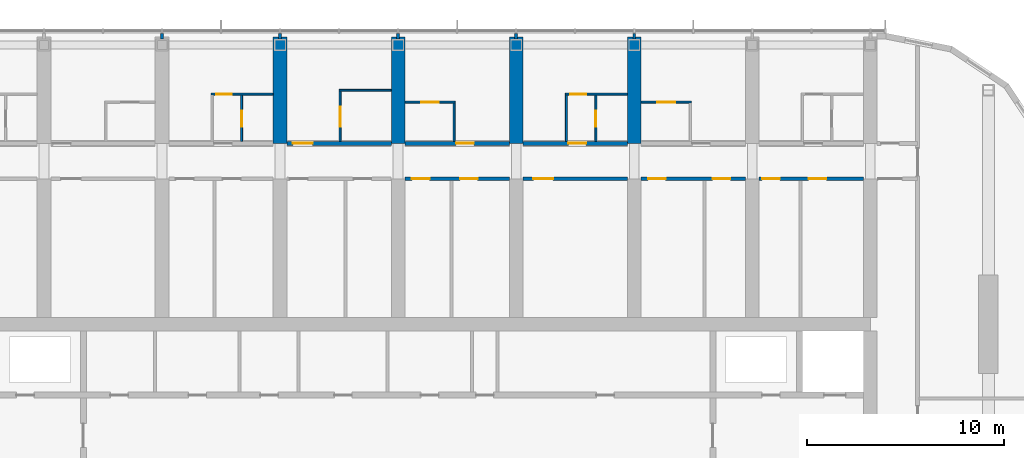
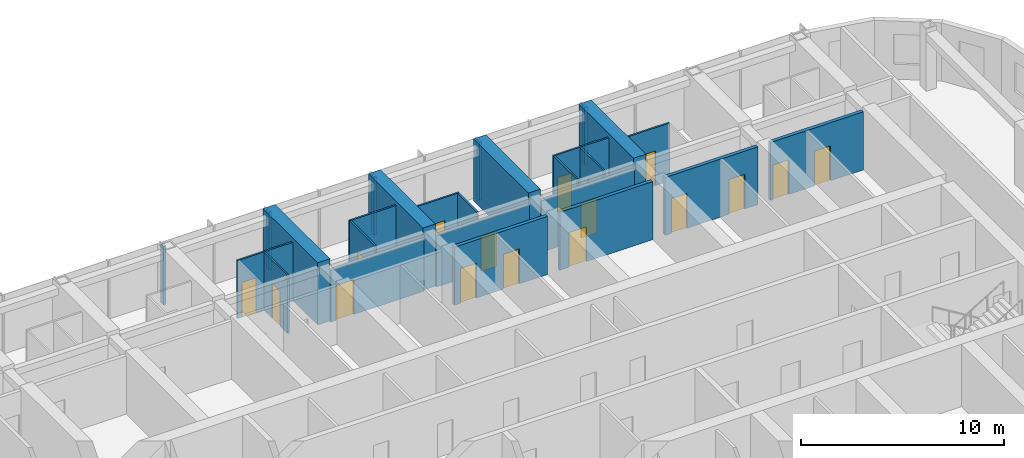
# One storey, part 18 of 26: 26 walls, 17 doors, 17 openings.
"""IFC4 building model written with IfcOpenShell, lengths in metres."""

from ifc_helpers import new_model, si_unit, direction, frame, frame_2d, origin, place, context, subcontext, project, spatial, polyline, rectangle, outline, extrude, material, layer, layer_set, type_object, element, fill, save


model = new_model("IFC4")

# Units and contexts
model_context = context("Model", 3, precision=1e-05, world=origin(), true_north=direction((0.0, 1.0)))
body_context = subcontext(model_context, "Body", "Model", "MODEL_VIEW")
ifc_project = project(units=[si_unit("LENGTHUNIT", "METRE"), si_unit("AREAUNIT", "SQUARE_METRE"), si_unit("VOLUMEUNIT", "CUBIC_METRE"), si_unit("PLANEANGLEUNIT", "RADIAN"), si_unit("MASSUNIT", "GRAM", prefix="KILO")], contexts=[model_context])

# Site, building, storey
site_placement = place(None, origin())
site = spatial("IfcSite", under=ifc_project, at=site_placement, CompositionType="ELEMENT")
building_placement = place(site_placement, origin())
building = spatial("IfcBuilding", under=site, at=building_placement, Name="Orbita Commons", CompositionType="ELEMENT")
storey_placement = place(building_placement, frame((0.0, 0.0, 231.550048828125)))
storey = spatial("IfcBuildingStorey", under=building, at=storey_placement, Name="L57", CompositionType="ELEMENT", Elevation=231.550048828125)

# Wall, opening, door
ifc_material_1 = material(Name="Concrete blockwork", Category="masonry")
ifc_layer_1 = layer(ifc_material_1, 0.199951171875)
ifc_layer_set_1 = layer_set([ifc_layer_1], Name="Concrete blockwork")
wall_type_1 = type_object("IfcWallType", Name="Corridor wall 200 blockwork", PredefinedType="SOLIDWALL", material=ifc_layer_set_1)
wall_1_placement = place(storey_placement, frame((36.35009765625, 47.39990234375, 0.0), z_axis=(0.0, 0.0, 1.0), x_axis=(1.0, 0.0, 0.0)))
wall_1 = element("IfcWall", 1, at=wall_1_placement, inside=storey, type_object=wall_type_1, Name="Corridor wall 200 blockwork L57", PredefinedType="SOLIDWALL", context=body_context, shape_type="SweptSolid", body=[
    extrude(outline(polyline([(0.0, 0.0), (5.2998046875, 0.0), (5.300048828125, 3.099853515625), (0.0, 3.099853515625), (0.0, 0.0)])), frame((0.0, 0.10009765625, 0.0), z_axis=(0.0, -1.0, 0.0), x_axis=(1.0, 0.0, 0.0)), (0.0, 0.0, 1.0), 0.199951171875),
])
opening_1_placement = place(wall_1_placement, frame((0.300048828125, 0.0, 0.0)))
opening_1 = element("IfcOpeningElement", 2, at=opening_1_placement, cuts=wall_1, Name="Opening D06", PredefinedType="OPENING", context=body_context, shape_type="SweptSolid", body=[
    extrude(rectangle(XDim=1.0, YDim=2.10009765625, at=frame_2d((0.5, 1.050048828125))), frame((0.0, 0.10986328125, 0.0), z_axis=(0.0, -1.0, 0.0), x_axis=(1.0, 0.0, 0.0)), (0.0, 0.0, 1.0), 0.219970703125),
])
ifc_material_2 = material(Name="Steel-faced fire door leaf", Category="steel")
door_type_1 = type_object("IfcDoorType", Name="Corridor door 20 min 1000x2100", OperationType="SINGLE_SWING_LEFT", PredefinedType="DOOR", material=ifc_material_2)
door_1_placement = place(opening_1_placement, origin())
door_1 = element("IfcDoor", 3, at=door_1_placement, inside=storey, type_object=door_type_1, Name="Accessible bedroom L57-N06 door", OperationType="SINGLE_SWING_LEFT", OverallHeight=2.10009765625, OverallWidth=1.0, PredefinedType="DOOR", context=body_context, shape_type="SweptSolid", body=[
    extrude(rectangle(XDim=1.0, YDim=2.10009765625, at=frame_2d((0.5, 1.050048828125))), frame((0.0, 0.02490234375, 0.0), z_axis=(0.0, -1.0, 0.0), x_axis=(1.0, 0.0, 0.0)), (0.0, 0.0, 1.0), 0.050048828125),
])
fill(opening_1, door_1)

wall_2_placement = place(storey_placement, frame((42.35009765625, 47.39990234375, 0.0), z_axis=(0.0, 0.0, 1.0), x_axis=(1.0, 0.0, 0.0)))
wall_2 = element("IfcWall", 4, at=wall_2_placement, inside=storey, type_object=wall_type_1, Name="Corridor wall 200 blockwork L57", PredefinedType="SOLIDWALL", context=body_context, shape_type="SweptSolid", body=[
    extrude(outline(polyline([(0.0, 0.0), (5.2998046875, 0.0), (5.300048828125, 3.099853515625), (0.0, 3.099853515625), (0.0, 0.0)])), frame((0.0, 0.10009765625, 0.0), z_axis=(0.0, -1.0, 0.0), x_axis=(1.0, 0.0, 0.0)), (0.0, 0.0, 1.0), 0.199951171875),
])
opening_2_placement = place(wall_2_placement, frame((2.60009765625, 0.0, 0.0)))
opening_2 = element("IfcOpeningElement", 5, at=opening_2_placement, cuts=wall_2, Name="Opening D11", PredefinedType="OPENING", context=body_context, shape_type="SweptSolid", body=[
    extrude(rectangle(XDim=0.89990234375, YDim=2.10009765625, at=frame_2d((0.449951171875, 1.050048828125))), frame((0.0, 0.10986328125, 0.0), z_axis=(0.0, -1.0, 0.0), x_axis=(1.0, 0.0, 0.0)), (0.0, 0.0, 1.0), 0.219970703125),
])
ifc_material_3 = material(Name="Steel-faced fire door leaf", Category="steel")
door_type_2 = type_object("IfcDoorType", Name="Corridor door 20 min 900x2100", OperationType="SINGLE_SWING_LEFT", PredefinedType="DOOR", material=ifc_material_3)
door_2_placement = place(opening_2_placement, origin())
door_2 = element("IfcDoor", 6, at=door_2_placement, inside=storey, type_object=door_type_2, Name="Studio apartment with kitchenette L57-N08 door", OperationType="SINGLE_SWING_LEFT", OverallHeight=2.10009765625, OverallWidth=0.89990234375, PredefinedType="DOOR", context=body_context, shape_type="SweptSolid", body=[
    extrude(rectangle(XDim=0.89990234375, YDim=2.10009765625, at=frame_2d((0.449951171875, 1.050048828125))), frame((0.0, 0.02490234375, 0.0), z_axis=(0.0, -1.0, 0.0), x_axis=(1.0, 0.0, 0.0)), (0.0, 0.0, 1.0), 0.050048828125),
])
fill(opening_2, door_2)

wall_3_placement = place(storey_placement, frame((48.35009765625, 47.39990234375, 0.0), z_axis=(0.0, 0.0, 1.0), x_axis=(1.0, 0.0, 0.0)))
wall_3 = element("IfcWall", 7, at=wall_3_placement, inside=storey, type_object=wall_type_1, Name="Corridor wall 200 blockwork L57", PredefinedType="SOLIDWALL", context=body_context, shape_type="SweptSolid", body=[
    extrude(outline(polyline([(0.0, 0.0), (5.2998046875, 0.0), (5.300048828125, 3.099853515625), (0.0, 3.099853515625), (0.0, 0.0)])), frame((0.0, 0.10009765625, 0.0), z_axis=(0.0, -1.0, 0.0), x_axis=(1.0, 0.0, 0.0)), (0.0, 0.0, 1.0), 0.199951171875),
])
opening_3_placement = place(wall_3_placement, frame((2.300048828125, 0.0, 0.0)))
opening_3 = element("IfcOpeningElement", 8, at=opening_3_placement, cuts=wall_3, Name="Opening D11", PredefinedType="OPENING", context=body_context, shape_type="SweptSolid", body=[
    extrude(rectangle(XDim=0.89990234375, YDim=2.10009765625, at=frame_2d((0.449951171875, 1.050048828125))), frame((0.0, 0.10986328125, 0.0), z_axis=(0.0, -1.0, 0.0), x_axis=(1.0, 0.0, 0.0)), (0.0, 0.0, 1.0), 0.219970703125),
])
door_3_placement = place(opening_3_placement, origin())
door_3 = element("IfcDoor", 9, at=door_3_placement, inside=storey, type_object=door_type_2, Name="Studio flat L57-N10 entrance door", OperationType="SINGLE_SWING_LEFT", OverallHeight=2.10009765625, OverallWidth=0.89990234375, PredefinedType="DOOR", context=body_context, shape_type="SweptSolid", body=[
    extrude(rectangle(XDim=0.89990234375, YDim=2.10009765625, at=frame_2d((0.449951171875, 1.050048828125))), frame((0.0, 0.02490234375, 0.0), z_axis=(0.0, -1.0, 0.0), x_axis=(1.0, 0.0, 0.0)), (0.0, 0.0, 1.0), 0.050048828125),
])
fill(opening_3, door_3)

# Wall, openings, doors
ifc_material_4 = material(Name="Hollow concrete block 200", Category="concrete")
ifc_layer_2 = layer(ifc_material_4, 0.199951171875)
ifc_layer_set_2 = layer_set([ifc_layer_2], Name="Hollow concrete block 200")
wall_type_2 = type_object("IfcWallType", Name="Corridor wall 200 hollow concrete block", PredefinedType="SOLIDWALL", material=ifc_layer_set_2)
wall_4_placement = place(storey_placement, frame((42.35009765625, 45.60009765625, 0.0), z_axis=(0.0, 0.0, 1.0), x_axis=(1.0, 0.0, 0.0)))
wall_4 = element("IfcWall", 10, at=wall_4_placement, inside=storey, type_object=wall_type_2, Name="Corridor wall 200 hollow concrete block L57", PredefinedType="SOLIDWALL", context=body_context, shape_type="SweptSolid", body=[
    extrude(rectangle(XDim=5.2998046875, YDim=0.199951171875, at=frame_2d((2.64990234375, 0.0))), origin(), (0.0, 0.0, 1.0), 3.5),
])
opening_4_placement = place(wall_4_placement, frame((0.35009765625, 0.0, 0.0)))
opening_4 = element("IfcOpeningElement", 11, at=opening_4_placement, cuts=wall_4, Name="Opening D11", PredefinedType="OPENING", context=body_context, shape_type="SweptSolid", body=[
    extrude(rectangle(XDim=0.89990234375, YDim=2.10009765625, at=frame_2d((0.449951171875, 1.050048828125))), frame((0.0, 0.10986328125, 0.0), z_axis=(0.0, -1.0, 0.0), x_axis=(1.0, 0.0, 0.0)), (0.0, 0.0, 1.0), 0.219970703125),
])
opening_5_placement = place(wall_4_placement, frame((2.794921875, 0.0, 0.0)))
opening_5 = element("IfcOpeningElement", 12, at=opening_5_placement, cuts=wall_4, Name="Opening D11", PredefinedType="OPENING", context=body_context, shape_type="SweptSolid", body=[
    extrude(rectangle(XDim=0.89990234375, YDim=2.10009765625, at=frame_2d((0.449951171875, 1.050048828125))), frame((0.0, 0.10986328125, 0.0), z_axis=(0.0, -1.0, 0.0), x_axis=(1.0, 0.0, 0.0)), (0.0, 0.0, 1.0), 0.219970703125),
])
door_4_placement = place(opening_4_placement, origin())
door_4 = element("IfcDoor", 13, at=door_4_placement, inside=storey, type_object=door_type_2, Name="Riser access cupboard L57-BDN42n door", OperationType="SINGLE_SWING_LEFT", OverallHeight=2.10009765625, OverallWidth=0.89990234375, PredefinedType="DOOR", context=body_context, shape_type="SweptSolid", body=[
    extrude(rectangle(XDim=0.89990234375, YDim=2.10009765625, at=frame_2d((0.449951171875, 1.050048828125))), frame((0.0, 0.02490234375, 0.0), z_axis=(0.0, -1.0, 0.0), x_axis=(1.0, 0.0, 0.0)), (0.0, 0.0, 1.0), 0.050048828125),
])
fill(opening_4, door_4)
door_5_placement = place(opening_5_placement, origin())
door_5 = element("IfcDoor", 14, at=door_5_placement, inside=storey, type_object=door_type_2, Name="Parcel and post room L57-BDN42 door", OperationType="SINGLE_SWING_LEFT", OverallHeight=2.10009765625, OverallWidth=0.89990234375, PredefinedType="DOOR", context=body_context, shape_type="SweptSolid", body=[
    extrude(rectangle(XDim=0.89990234375, YDim=2.10009765625, at=frame_2d((0.449951171875, 1.050048828125))), frame((0.0, 0.02490234375, 0.0), z_axis=(0.0, -1.0, 0.0), x_axis=(1.0, 0.0, 0.0)), (0.0, 0.0, 1.0), 0.050048828125),
])
fill(opening_5, door_5)

# Wall, opening, door
wall_5_placement = place(storey_placement, frame((48.35009765625, 45.60009765625, 0.0), z_axis=(0.0, 0.0, 1.0), x_axis=(1.0, 0.0, 0.0)))
wall_5 = element("IfcWall", 15, at=wall_5_placement, inside=storey, type_object=wall_type_2, Name="Corridor wall 200 hollow concrete block L57", PredefinedType="SOLIDWALL", context=body_context, shape_type="SweptSolid", body=[
    extrude(rectangle(XDim=5.2998046875, YDim=0.199951171875, at=frame_2d((2.64990234375, 0.0))), origin(), (0.0, 0.0, 1.0), 3.5),
])
opening_6_placement = place(wall_5_placement, frame((0.52490234375, 0.0, 0.0)))
opening_6 = element("IfcOpeningElement", 16, at=opening_6_placement, cuts=wall_5, Name="Opening D06", PredefinedType="OPENING", context=body_context, shape_type="SweptSolid", body=[
    extrude(rectangle(XDim=1.0, YDim=2.10009765625, at=frame_2d((0.5, 1.050048828125))), frame((0.0, 0.10986328125, 0.0), z_axis=(0.0, -1.0, 0.0), x_axis=(1.0, 0.0, 0.0)), (0.0, 0.0, 1.0), 0.219970703125),
])
door_6_placement = place(opening_6_placement, origin())
door_6 = element("IfcDoor", 17, at=door_6_placement, inside=storey, type_object=door_type_1, Name="Store L57-BDN48 door", OperationType="SINGLE_SWING_LEFT", OverallHeight=2.10009765625, OverallWidth=1.0, PredefinedType="DOOR", context=body_context, shape_type="SweptSolid", body=[
    extrude(rectangle(XDim=1.0, YDim=2.10009765625, at=frame_2d((0.5, 1.050048828125))), frame((0.0, 0.02490234375, 0.0), z_axis=(0.0, -1.0, 0.0), x_axis=(1.0, 0.0, 0.0)), (0.0, 0.0, 1.0), 0.050048828125),
])
fill(opening_6, door_6)

# Wall, openings, doors
wall_6_placement = place(storey_placement, frame((54.35009765625, 45.60009765625, 0.0), z_axis=(0.0, 0.0, 1.0), x_axis=(1.0, 0.0, 0.0)))
wall_6 = element("IfcWall", 18, at=wall_6_placement, inside=storey, type_object=wall_type_2, Name="Corridor wall 200 hollow concrete block L57", PredefinedType="SOLIDWALL", context=body_context, shape_type="SweptSolid", body=[
    extrude(rectangle(XDim=5.2998046875, YDim=0.199951171875, at=frame_2d((2.64990234375, 0.0))), origin(), (0.0, 0.0, 1.0), 3.5),
])
opening_7_placement = place(wall_6_placement, frame((0.35009765625, 0.0, 0.0)))
opening_7 = element("IfcOpeningElement", 19, at=opening_7_placement, cuts=wall_6, Name="Opening D11", PredefinedType="OPENING", context=body_context, shape_type="SweptSolid", body=[
    extrude(rectangle(XDim=0.89990234375, YDim=2.10009765625, at=frame_2d((0.449951171875, 1.050048828125))), frame((0.0, 0.10986328125, 0.0), z_axis=(0.0, -1.0, 0.0), x_axis=(1.0, 0.0, 0.0)), (0.0, 0.0, 1.0), 0.219970703125),
])
opening_8_placement = place(wall_6_placement, frame((3.639892578125, 0.0, 0.0)))
opening_8 = element("IfcOpeningElement", 20, at=opening_8_placement, cuts=wall_6, Name="Opening D11", PredefinedType="OPENING", context=body_context, shape_type="SweptSolid", body=[
    extrude(rectangle(XDim=0.89990234375, YDim=2.10009765625, at=frame_2d((0.449951171875, 1.050048828125))), frame((0.0, 0.10986328125, 0.0), z_axis=(0.0, -1.0, 0.0), x_axis=(1.0, 0.0, 0.0)), (0.0, 0.0, 1.0), 0.219970703125),
])
door_7_placement = place(opening_7_placement, origin())
door_7 = element("IfcDoor", 21, at=door_7_placement, inside=storey, type_object=door_type_2, Name="Drying room L57-BDN54 door", OperationType="SINGLE_SWING_LEFT", OverallHeight=2.10009765625, OverallWidth=0.89990234375, PredefinedType="DOOR", context=body_context, shape_type="SweptSolid", body=[
    extrude(rectangle(XDim=0.89990234375, YDim=2.10009765625, at=frame_2d((0.449951171875, 1.050048828125))), frame((0.0, 0.02490234375, 0.0), z_axis=(0.0, -1.0, 0.0), x_axis=(1.0, 0.0, 0.0)), (0.0, 0.0, 1.0), 0.050048828125),
])
fill(opening_7, door_7)
door_8_placement = place(opening_8_placement, origin())
door_8 = element("IfcDoor", 22, at=door_8_placement, inside=storey, type_object=door_type_2, Name="Water heater cupboard L57-BDN54n door", OperationType="SINGLE_SWING_LEFT", OverallHeight=2.10009765625, OverallWidth=0.89990234375, PredefinedType="DOOR", context=body_context, shape_type="SweptSolid", body=[
    extrude(rectangle(XDim=0.89990234375, YDim=2.10009765625, at=frame_2d((0.449951171875, 1.050048828125))), frame((0.0, 0.02490234375, 0.0), z_axis=(0.0, -1.0, 0.0), x_axis=(1.0, 0.0, 0.0)), (0.0, 0.0, 1.0), 0.050048828125),
])
fill(opening_8, door_8)

wall_7_placement = place(storey_placement, frame((60.35009765625, 45.60009765625, 0.0), z_axis=(0.0, 0.0, 1.0), x_axis=(1.0, 0.0, 0.0)))
wall_7 = element("IfcWall", 23, at=wall_7_placement, inside=storey, type_object=wall_type_2, Name="Corridor wall 200 hollow concrete block L57", PredefinedType="SOLIDWALL", context=body_context, shape_type="SweptSolid", body=[
    extrude(rectangle(XDim=5.2998046875, YDim=0.199951171875, at=frame_2d((2.64990234375, 0.0))), origin(), (0.0, 0.0, 1.0), 3.5),
])
opening_9_placement = place(wall_7_placement, frame((0.14990234375, 0.0, 0.0)))
opening_9 = element("IfcOpeningElement", 24, at=opening_9_placement, cuts=wall_7, Name="Opening D11", PredefinedType="OPENING", context=body_context, shape_type="SweptSolid", body=[
    extrude(rectangle(XDim=0.89990234375, YDim=2.10009765625, at=frame_2d((0.449951171875, 1.050048828125))), frame((0.0, 0.10986328125, 0.0), z_axis=(0.0, -1.0, 0.0), x_axis=(1.0, 0.0, 0.0)), (0.0, 0.0, 1.0), 0.219970703125),
])
opening_10_placement = place(wall_7_placement, frame((2.52001953125, 0.0, 0.0)))
opening_10 = element("IfcOpeningElement", 25, at=opening_10_placement, cuts=wall_7, Name="Opening D11", PredefinedType="OPENING", context=body_context, shape_type="SweptSolid", body=[
    extrude(rectangle(XDim=0.89990234375, YDim=2.10009765625, at=frame_2d((0.449951171875, 1.050048828125))), frame((0.0, 0.10986328125, 0.0), z_axis=(0.0, -1.0, 0.0), x_axis=(1.0, 0.0, 0.0)), (0.0, 0.0, 1.0), 0.219970703125),
])
door_9_placement = place(opening_9_placement, origin())
door_9 = element("IfcDoor", 26, at=door_9_placement, inside=storey, type_object=door_type_2, Name="Battery and UPS room L57-BDN60n door", OperationType="SINGLE_SWING_LEFT", OverallHeight=2.10009765625, OverallWidth=0.89990234375, PredefinedType="DOOR", context=body_context, shape_type="SweptSolid", body=[
    extrude(rectangle(XDim=0.89990234375, YDim=2.10009765625, at=frame_2d((0.449951171875, 1.050048828125))), frame((0.0, 0.02490234375, 0.0), z_axis=(0.0, -1.0, 0.0), x_axis=(1.0, 0.0, 0.0)), (0.0, 0.0, 1.0), 0.050048828125),
])
fill(opening_9, door_9)
door_10_placement = place(opening_10_placement, origin())
door_10 = element("IfcDoor", 27, at=door_10_placement, inside=storey, type_object=door_type_2, Name="Linen store L57-BDN60 door", OperationType="SINGLE_SWING_LEFT", OverallHeight=2.10009765625, OverallWidth=0.89990234375, PredefinedType="DOOR", context=body_context, shape_type="SweptSolid", body=[
    extrude(rectangle(XDim=0.89990234375, YDim=2.10009765625, at=frame_2d((0.449951171875, 1.050048828125))), frame((0.0, 0.02490234375, 0.0), z_axis=(0.0, -1.0, 0.0), x_axis=(1.0, 0.0, 0.0)), (0.0, 0.0, 1.0), 0.050048828125),
])
fill(opening_10, door_10)

# Walls
ifc_material_5 = material(Name="Concrete C50/60", Category="concrete")
ifc_layer_3 = layer(ifc_material_5, 0.699951171875)
ifc_layer_set_3 = layer_set([ifc_layer_3], Name="Concrete C50/60")
wall_type_3 = type_object("IfcWallType", Name="Cross wall 700 C50/60", PredefinedType="SHEAR", material=ifc_layer_set_3)
for number, where, z_axis, x_axis, name in (
    (28, (36.0, 47.39990234375, 0.0), (0.0, 0.0, 1.0), (0.0, 1.0, 0.0), "Cross wall 7 north outer L57"),
    (29, (42.0, 47.39990234375, 0.0), (0.0, 0.0, 1.0), (0.0, 1.0, 0.0), "Cross wall 8 north outer L57"),
    (30, (48.0, 47.39990234375, 0.0), (0.0, 0.0, 1.0), (0.0, 1.0, 0.0), "Cross wall 9 north outer L57"),
    (31, (54.0, 47.39990234375, 0.0), (0.0, 0.0, 1.0), (0.0, 1.0, 0.0), "Cross wall 10 north outer L57"),
):
    element("IfcWall", number, at=place(storey_placement, frame(where, z_axis=z_axis, x_axis=x_axis)), inside=storey, type_object=wall_type_3, Name=name, PredefinedType="SHEAR", context=body_context, shape_type="SweptSolid", body=[
        extrude(rectangle(XDim=5.400146484375, YDim=0.699951171875, at=frame_2d((2.7001953125, 0.0))), origin(), (0.0, 0.0, 1.0), 3.75),
    ])

# Wall, opening, door
ifc_material_6 = material(Name="Moisture-resistant plasterboard on steel studs", Category="steel")
ifc_layer_4 = layer(ifc_material_6, 0.10009765625)
ifc_layer_set_4 = layer_set([ifc_layer_4], Name="Moisture-resistant plasterboard on steel studs")
wall_type_4 = type_object("IfcWallType", Name="En-suite partition 100", PredefinedType="PARTITIONING", material=ifc_layer_set_4)
wall_8_placement = place(storey_placement, frame((32.5, 49.89990234375, 0.0), z_axis=(0.0, 0.0, 1.0), x_axis=(1.0, 0.0, 0.0)))
wall_8 = element("IfcWall", 32, at=wall_8_placement, inside=storey, type_object=wall_type_4, Name="En-suite partition 100 L57", PredefinedType="PARTITIONING", context=body_context, shape_type="SweptSolid", body=[
    extrude(rectangle(XDim=3.14990234375, YDim=0.10009765625, at=frame_2d((1.574951171875, 0.0))), origin(), (0.0, 0.0, 1.0), 3.5),
])
opening_11_placement = place(wall_8_placement, frame((0.25, 0.0, 0.0)))
opening_11 = element("IfcOpeningElement", 33, at=opening_11_placement, cuts=wall_8, Name="Opening D16", PredefinedType="OPENING", context=body_context, shape_type="SweptSolid", body=[
    extrude(rectangle(XDim=0.800048828125, YDim=2.10009765625, at=frame_2d((0.39990234375, 1.050048828125))), frame((0.0, 0.06005859375, 0.0), z_axis=(0.0, -1.0, 0.0), x_axis=(1.0, 0.0, 0.0)), (0.0, 0.0, 1.0), 0.1201171875),
])
ifc_material_7 = material(Name="Laminated timber door leaf", Category="wood")
door_type_3 = type_object("IfcDoorType", Name="En-suite door 800x2100", OperationType="SINGLE_SWING_RIGHT", PredefinedType="DOOR", material=ifc_material_7)
door_11_placement = place(opening_11_placement, origin())
door_11 = element("IfcDoor", 34, at=door_11_placement, inside=storey, type_object=door_type_3, Name="Studio flat L57-N04 door", OperationType="SINGLE_SWING_RIGHT", OverallHeight=2.10009765625, OverallWidth=0.800048828125, PredefinedType="DOOR", context=body_context, shape_type="SweptSolid", body=[
    extrude(rectangle(XDim=0.800048828125, YDim=2.10009765625, at=frame_2d((0.39990234375, 1.050048828125))), frame((0.0, 0.02490234375, 0.0), z_axis=(0.0, -1.0, 0.0), x_axis=(1.0, 0.0, 0.0)), (0.0, 0.0, 1.0), 0.050048828125),
])
fill(opening_11, door_11)

wall_9_placement = place(storey_placement, frame((34.050048828125, 49.85009765625, 0.0), z_axis=(0.0, 0.0, 1.0), x_axis=(0.0, -1.0, 0.0)))
wall_9 = element("IfcWall", 35, at=wall_9_placement, inside=storey, type_object=wall_type_4, Name="En-suite partition 100 L57", PredefinedType="PARTITIONING", context=body_context, shape_type="SweptSolid", body=[
    extrude(outline(polyline([(0.0, 0.0), (2.35009765625, 0.0), (2.35009765625, 3.099853515625), (2.302001953125, 3.099853515625), (2.300048828125, 3.5), (0.0, 3.5), (0.0, 0.0)])), frame((0.0, 0.050048828125, 0.0), z_axis=(0.0, -1.0, 0.0), x_axis=(1.0, 0.0, 0.0)), (0.0, 0.0, 1.0), 0.10009765625),
])
opening_12_placement = place(wall_9_placement, frame((0.800048828125, 0.0, 0.0)))
opening_12 = element("IfcOpeningElement", 36, at=opening_12_placement, cuts=wall_9, Name="Opening D16", PredefinedType="OPENING", context=body_context, shape_type="SweptSolid", body=[
    extrude(rectangle(XDim=0.800048828125, YDim=2.10009765625, at=frame_2d((0.39990234375, 1.050048828125))), frame((0.0, 0.06005859375, 0.0), z_axis=(0.0, -1.0, 0.0), x_axis=(1.0, 0.0, 0.0)), (0.0, 0.0, 1.0), 0.1201171875),
])
door_12_placement = place(opening_12_placement, origin())
door_12 = element("IfcDoor", 37, at=door_12_placement, inside=storey, type_object=door_type_3, Name="Studio flat shower room L57-N04 door", OperationType="SINGLE_SWING_RIGHT", OverallHeight=2.10009765625, OverallWidth=0.800048828125, PredefinedType="DOOR", context=body_context, shape_type="SweptSolid", body=[
    extrude(rectangle(XDim=0.800048828125, YDim=2.10009765625, at=frame_2d((0.39990234375, 1.050048828125))), frame((0.0, 0.02490234375, 0.0), z_axis=(0.0, -1.0, 0.0), x_axis=(1.0, 0.0, 0.0)), (0.0, 0.0, 1.0), 0.050048828125),
])
fill(opening_12, door_12)

# Wall
wall_10_placement = place(storey_placement, frame((39.0, 50.10009765625, 0.0), z_axis=(0.0, 0.0, 1.0), x_axis=(1.0, 0.0, 0.0)))
element("IfcWall", 38, at=wall_10_placement, inside=storey, type_object=wall_type_4, Name="En-suite partition 100 L57", PredefinedType="PARTITIONING", context=body_context, shape_type="SweptSolid", body=[
    extrude(rectangle(XDim=2.64990234375, YDim=0.10009765625, at=frame_2d((1.324951171875, 0.0))), origin(), (0.0, 0.0, 1.0), 3.5),
])

# Wall, opening, door
wall_11_placement = place(storey_placement, frame((39.050048828125, 50.050048828125, 0.0), z_axis=(0.0, 0.0, 1.0), x_axis=(0.0, -1.0, 0.0)))
wall_11 = element("IfcWall", 39, at=wall_11_placement, inside=storey, type_object=wall_type_4, Name="En-suite partition 100 L57", PredefinedType="PARTITIONING", context=body_context, shape_type="SweptSolid", body=[
    extrude(outline(polyline([(0.0, 0.0), (2.550048828125, 0.0), (2.550048828125, 3.099853515625), (2.501953125, 3.099853515625), (2.5, 3.5), (0.0, 3.5), (0.0, 0.0)])), frame((0.0, 0.050048828125, 0.0), z_axis=(0.0, -1.0, 0.0), x_axis=(1.0, 0.0, 0.0)), (0.0, 0.0, 1.0), 0.10009765625),
])
opening_13_placement = place(wall_11_placement, frame((0.800048828125, 0.0, 0.0)))
opening_13 = element("IfcOpeningElement", 40, at=opening_13_placement, cuts=wall_11, Name="Opening D13", PredefinedType="OPENING", context=body_context, shape_type="SweptSolid", body=[
    extrude(rectangle(XDim=1.0, YDim=2.10009765625, at=frame_2d((0.5, 1.050048828125))), frame((0.0, 0.06005859375, 0.0), z_axis=(0.0, -1.0, 0.0), x_axis=(1.0, 0.0, 0.0)), (0.0, 0.0, 1.0), 0.1201171875),
])
ifc_material_8 = material(Name="Laminated timber door leaf", Category="wood")
door_type_4 = type_object("IfcDoorType", Name="En-suite door 1000x2100", OperationType="SINGLE_SWING_RIGHT", PredefinedType="DOOR", material=ifc_material_8)
door_13_placement = place(opening_13_placement, origin())
door_13 = element("IfcDoor", 41, at=door_13_placement, inside=storey, type_object=door_type_4, Name="Accessible shower room L57-N06 door", OperationType="SINGLE_SWING_RIGHT", OverallHeight=2.10009765625, OverallWidth=1.0, PredefinedType="DOOR", context=body_context, shape_type="SweptSolid", body=[
    extrude(rectangle(XDim=1.0, YDim=2.10009765625, at=frame_2d((0.5, 1.050048828125))), frame((0.0, 0.02490234375, 0.0), z_axis=(0.0, -1.0, 0.0), x_axis=(1.0, 0.0, 0.0)), (0.0, 0.0, 1.0), 0.050048828125),
])
fill(opening_13, door_13)

wall_12_placement = place(storey_placement, frame((42.35009765625, 49.5, 0.0), z_axis=(0.0, 0.0, 1.0), x_axis=(1.0, 0.0, 0.0)))
wall_12 = element("IfcWall", 42, at=wall_12_placement, inside=storey, type_object=wall_type_4, Name="En-suite partition 100 L57", PredefinedType="PARTITIONING", context=body_context, shape_type="SweptSolid", body=[
    extrude(rectangle(XDim=2.5498046875, YDim=0.10009765625, at=frame_2d((1.27490234375, 0.0))), origin(), (0.0, 0.0, 1.0), 3.5),
])
opening_14_placement = place(wall_12_placement, frame((0.824951171875, 0.0, 0.0)))
opening_14 = element("IfcOpeningElement", 43, at=opening_14_placement, cuts=wall_12, Name="Opening D09", PredefinedType="OPENING", context=body_context, shape_type="SweptSolid", body=[
    extrude(rectangle(XDim=0.89990234375, YDim=2.10009765625, at=frame_2d((0.449951171875, 1.050048828125))), frame((0.0, 0.06005859375, 0.0), z_axis=(0.0, -1.0, 0.0), x_axis=(1.0, 0.0, 0.0)), (0.0, 0.0, 1.0), 0.1201171875),
])
ifc_material_9 = material(Name="Laminated timber door leaf", Category="wood")
door_type_5 = type_object("IfcDoorType", Name="En-suite door 900x2100", OperationType="SINGLE_SWING_RIGHT", PredefinedType="DOOR", material=ifc_material_9)
door_14_placement = place(opening_14_placement, origin())
door_14 = element("IfcDoor", 44, at=door_14_placement, inside=storey, type_object=door_type_5, Name="En-suite L57-N08 door", OperationType="SINGLE_SWING_RIGHT", OverallHeight=2.10009765625, OverallWidth=0.89990234375, PredefinedType="DOOR", context=body_context, shape_type="SweptSolid", body=[
    extrude(rectangle(XDim=0.89990234375, YDim=2.10009765625, at=frame_2d((0.449951171875, 1.050048828125))), frame((0.0, 0.02490234375, 0.0), z_axis=(0.0, -1.0, 0.0), x_axis=(1.0, 0.0, 0.0)), (0.0, 0.0, 1.0), 0.050048828125),
])
fill(opening_14, door_14)

# Wall
wall_13_placement = place(storey_placement, frame((44.85009765625, 49.449951171875, 0.0), z_axis=(0.0, 0.0, 1.0), x_axis=(0.0, -1.0, 0.0)))
element("IfcWall", 45, at=wall_13_placement, inside=storey, type_object=wall_type_4, Name="En-suite partition 100 L57", PredefinedType="PARTITIONING", context=body_context, shape_type="SweptSolid", body=[
    extrude(outline(polyline([(0.0, 0.0), (1.949951171875, 0.0), (1.949951171875, 3.099853515625), (1.902099609375, 3.099853515625), (1.89990234375, 3.5), (0.0, 3.5), (0.0, 0.0)])), frame((0.0, 0.050048828125, 0.0), z_axis=(0.0, -1.0, 0.0), x_axis=(1.0, 0.0, 0.0)), (0.0, 0.0, 1.0), 0.10009765625),
])

# Wall, opening, door
wall_14_placement = place(storey_placement, frame((50.5, 49.89990234375, 0.0), z_axis=(0.0, 0.0, 1.0), x_axis=(1.0, 0.0, 0.0)))
wall_14 = element("IfcWall", 46, at=wall_14_placement, inside=storey, type_object=wall_type_4, Name="En-suite partition 100 L57", PredefinedType="PARTITIONING", context=body_context, shape_type="SweptSolid", body=[
    extrude(rectangle(XDim=3.14990234375, YDim=0.10009765625, at=frame_2d((1.574951171875, 0.0))), origin(), (0.0, 0.0, 1.0), 3.5),
])
opening_15_placement = place(wall_14_placement, frame((0.25, 0.0, 0.0)))
opening_15 = element("IfcOpeningElement", 47, at=opening_15_placement, cuts=wall_14, Name="Opening D16", PredefinedType="OPENING", context=body_context, shape_type="SweptSolid", body=[
    extrude(rectangle(XDim=0.800048828125, YDim=2.10009765625, at=frame_2d((0.39990234375, 1.050048828125))), frame((0.0, 0.06005859375, 0.0), z_axis=(0.0, -1.0, 0.0), x_axis=(1.0, 0.0, 0.0)), (0.0, 0.0, 1.0), 0.1201171875),
])
door_15_placement = place(opening_15_placement, origin())
door_15 = element("IfcDoor", 48, at=door_15_placement, inside=storey, type_object=door_type_3, Name="Studio flat L57-N10 door", OperationType="SINGLE_SWING_RIGHT", OverallHeight=2.10009765625, OverallWidth=0.800048828125, PredefinedType="DOOR", context=body_context, shape_type="SweptSolid", body=[
    extrude(rectangle(XDim=0.800048828125, YDim=2.10009765625, at=frame_2d((0.39990234375, 1.050048828125))), frame((0.0, 0.02490234375, 0.0), z_axis=(0.0, -1.0, 0.0), x_axis=(1.0, 0.0, 0.0)), (0.0, 0.0, 1.0), 0.050048828125),
])
fill(opening_15, door_15)

# Wall
wall_15_placement = place(storey_placement, frame((50.550048828125, 49.85009765625, 0.0), z_axis=(0.0, 0.0, 1.0), x_axis=(0.0, -1.0, 0.0)))
element("IfcWall", 49, at=wall_15_placement, inside=storey, type_object=wall_type_4, Name="En-suite partition 100 L57", PredefinedType="PARTITIONING", context=body_context, shape_type="SweptSolid", body=[
    extrude(outline(polyline([(0.0, 0.0), (2.35009765625, 0.0), (2.35009765625, 3.099853515625), (2.302001953125, 3.099853515625), (2.300048828125, 3.5), (0.0, 3.5), (0.0, 0.0)])), frame((0.0, 0.050048828125, 0.0), z_axis=(0.0, -1.0, 0.0), x_axis=(1.0, 0.0, 0.0)), (0.0, 0.0, 1.0), 0.10009765625),
])

# Wall, opening, door
wall_16_placement = place(storey_placement, frame((52.050048828125, 49.85009765625, 0.0), z_axis=(0.0, 0.0, 1.0), x_axis=(0.0, -1.0, 0.0)))
wall_16 = element("IfcWall", 50, at=wall_16_placement, inside=storey, type_object=wall_type_4, Name="En-suite partition 100 L57", PredefinedType="PARTITIONING", context=body_context, shape_type="SweptSolid", body=[
    extrude(outline(polyline([(0.0, 0.0), (2.35009765625, 0.0), (2.35009765625, 3.099853515625), (2.302001953125, 3.099853515625), (2.300048828125, 3.5), (0.0, 3.5), (0.0, 0.0)])), frame((0.0, 0.050048828125, 0.0), z_axis=(0.0, -1.0, 0.0), x_axis=(1.0, 0.0, 0.0)), (0.0, 0.0, 1.0), 0.10009765625),
])
opening_16_placement = place(wall_16_placement, frame((0.800048828125, 0.0, 0.0)))
opening_16 = element("IfcOpeningElement", 51, at=opening_16_placement, cuts=wall_16, Name="Opening D16", PredefinedType="OPENING", context=body_context, shape_type="SweptSolid", body=[
    extrude(rectangle(XDim=0.800048828125, YDim=2.10009765625, at=frame_2d((0.39990234375, 1.050048828125))), frame((0.0, 0.06005859375, 0.0), z_axis=(0.0, -1.0, 0.0), x_axis=(1.0, 0.0, 0.0)), (0.0, 0.0, 1.0), 0.1201171875),
])
door_16_placement = place(opening_16_placement, origin())
door_16 = element("IfcDoor", 52, at=door_16_placement, inside=storey, type_object=door_type_3, Name="Studio flat shower room L57-N10 door", OperationType="SINGLE_SWING_RIGHT", OverallHeight=2.10009765625, OverallWidth=0.800048828125, PredefinedType="DOOR", context=body_context, shape_type="SweptSolid", body=[
    extrude(rectangle(XDim=0.800048828125, YDim=2.10009765625, at=frame_2d((0.39990234375, 1.050048828125))), frame((0.0, 0.02490234375, 0.0), z_axis=(0.0, -1.0, 0.0), x_axis=(1.0, 0.0, 0.0)), (0.0, 0.0, 1.0), 0.050048828125),
])
fill(opening_16, door_16)

wall_17_placement = place(storey_placement, frame((54.35009765625, 49.5, 0.0), z_axis=(0.0, 0.0, 1.0), x_axis=(1.0, 0.0, 0.0)))
wall_17 = element("IfcWall", 53, at=wall_17_placement, inside=storey, type_object=wall_type_4, Name="En-suite partition 100 L57", PredefinedType="PARTITIONING", context=body_context, shape_type="SweptSolid", body=[
    extrude(rectangle(XDim=2.5498046875, YDim=0.10009765625, at=frame_2d((1.27490234375, 0.0))), origin(), (0.0, 0.0, 1.0), 3.5),
])
opening_17_placement = place(wall_17_placement, frame((0.824951171875, 0.0, 0.0)))
opening_17 = element("IfcOpeningElement", 54, at=opening_17_placement, cuts=wall_17, Name="Opening D09", PredefinedType="OPENING", context=body_context, shape_type="SweptSolid", body=[
    extrude(rectangle(XDim=0.89990234375, YDim=2.10009765625, at=frame_2d((0.449951171875, 1.050048828125))), frame((0.0, 0.06005859375, 0.0), z_axis=(0.0, -1.0, 0.0), x_axis=(1.0, 0.0, 0.0)), (0.0, 0.0, 1.0), 0.1201171875),
])
door_17_placement = place(opening_17_placement, origin())
door_17 = element("IfcDoor", 55, at=door_17_placement, inside=storey, type_object=door_type_5, Name="En-suite L57-N12 door", OperationType="SINGLE_SWING_RIGHT", OverallHeight=2.10009765625, OverallWidth=0.89990234375, PredefinedType="DOOR", context=body_context, shape_type="SweptSolid", body=[
    extrude(rectangle(XDim=0.89990234375, YDim=2.10009765625, at=frame_2d((0.449951171875, 1.050048828125))), frame((0.0, 0.02490234375, 0.0), z_axis=(0.0, -1.0, 0.0), x_axis=(1.0, 0.0, 0.0)), (0.0, 0.0, 1.0), 0.050048828125),
])
fill(opening_17, door_17)

# Walls
ifc_material_10 = material(Name="Gypsum plasterboard on steel studs", Category="steel")
ifc_layer_5 = layer(ifc_material_10, 0.14990234375)
ifc_layer_set_5 = layer_set([ifc_layer_5], Name="Gypsum plasterboard on steel studs")
wall_type_5 = type_object("IfcWallType", Name="Partition 150 plasterboard", PredefinedType="PARTITIONING", material=ifc_layer_set_5)
for number, where, z_axis, x_axis, name in (
    (56, (30.0, 52.699951171875, 0.0), (0.0, 0.0, 1.0), (0.0, 1.0, 0.0), "Partition 150 plasterboard L57"),
    (57, (36.0, 52.699951171875, 0.0), (0.0, 0.0, 1.0), (0.0, 1.0, 0.0), "Partition 150 plasterboard L57"),
    (58, (42.0, 52.699951171875, 0.0), (0.0, 0.0, 1.0), (0.0, 1.0, 0.0), "Partition 150 plasterboard L57"),
    (59, (48.0, 52.699951171875, 0.0), (0.0, 0.0, 1.0), (0.0, 1.0, 0.0), "Partition 150 plasterboard L57"),
    (60, (54.0, 52.699951171875, 0.0), (0.0, 0.0, 1.0), (0.0, 1.0, 0.0), "Partition 150 plasterboard L57"),
):
    element("IfcWall", number, at=place(storey_placement, frame(where, z_axis=z_axis, x_axis=x_axis)), inside=storey, type_object=wall_type_5, Name=name, PredefinedType="PARTITIONING", context=body_context, shape_type="SweptSolid", body=[
        extrude(rectangle(XDim=0.2900390625, YDim=0.14990234375, at=frame_2d((0.14501953125, 0.0))), origin(), (0.0, 0.0, 1.0), 3.5),
    ])

save(model, "model.ifc")
